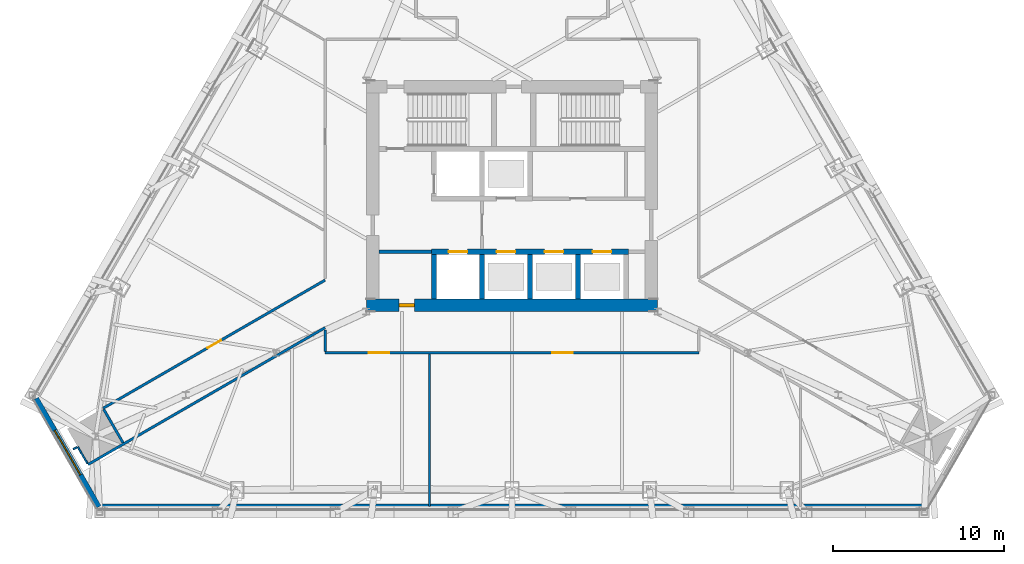
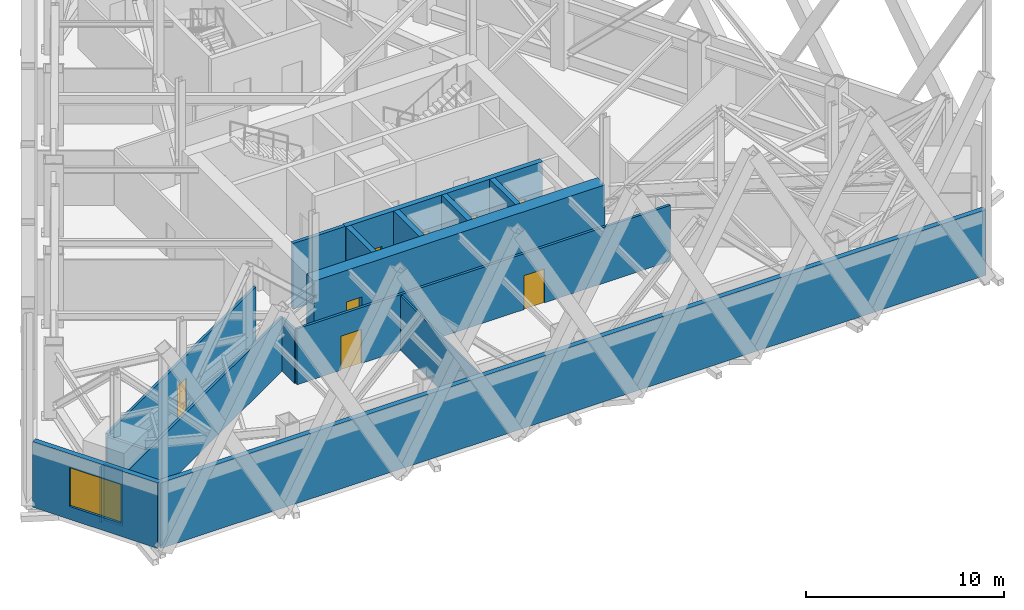
# One storey, part 7 of 16: 17 walls, 8 doors, 1 window, 9 openings.
"""IFC4 building model written with IfcOpenShell, lengths in metres."""

from ifc_helpers import new_model, si_unit, direction, frame, frame_2d, origin, place, context, subcontext, project, spatial, rectangle, extrude, material, layer, layer_set, type_object, element, fill, save


model = new_model("IFC4")

# Units and contexts
model_context = context("Model", 3, precision=1e-05, world=origin(), true_north=direction((0.0, 1.0)))
body_context = subcontext(model_context, "Body", "Model", "MODEL_VIEW")
ifc_project = project(units=[si_unit("LENGTHUNIT", "METRE"), si_unit("AREAUNIT", "SQUARE_METRE"), si_unit("VOLUMEUNIT", "CUBIC_METRE"), si_unit("PLANEANGLEUNIT", "RADIAN"), si_unit("MASSUNIT", "GRAM", prefix="KILO")], contexts=[model_context])

# Site, building, storey
site_placement = place(None, origin())
site = spatial("IfcSite", under=ifc_project, at=site_placement, CompositionType="ELEMENT")
building_placement = place(site_placement, origin())
building = spatial("IfcBuilding", under=site, at=building_placement, Name="Firuza Gate Tower and Library", CompositionType="ELEMENT")
storey_placement = place(building_placement, frame((0.0, 0.0, 247.60009765625)))
storey = spatial("IfcBuildingStorey", under=building, at=storey_placement, Name="L58", CompositionType="ELEMENT", Elevation=247.60009765625)

# Wall
ifc_material_1 = material(Name="Plasterboard on steel studs", Category="steel")
ifc_layer_1 = layer(ifc_material_1, 0.199951171875)
ifc_layer_set_1 = layer_set([ifc_layer_1], Name="Core partition 200 EI 120")
wall_type_1 = type_object("IfcWallType", Name="Core partition 200 EI 120", PredefinedType="PARTITIONING", material=ifc_layer_set_1)
wall_1_placement = place(storey_placement, frame((67.25, 71.75, 0.0), z_axis=(0.0, 0.0, 1.0), x_axis=(1.0, 0.0, 0.0)))
element("IfcWall", 1, at=wall_1_placement, inside=storey, type_object=wall_type_1, Name="Core partition L58 1", PredefinedType="PARTITIONING", context=body_context, shape_type="SweptSolid", body=[
    extrude(rectangle(XDim=3.050048828125, YDim=0.199951171875, at=frame_2d((1.52490234375, 0.0))), origin(), (0.0, 0.0, 1.0), 4.0498046875),
])

# Wall, openings, doors
ifc_material_2 = material(Name="Concrete C60/75", Category="concrete")
ifc_layer_2 = layer(ifc_material_2, 0.300048828125)
ifc_layer_set_2 = layer_set([ifc_layer_2], Name="Core wall 300 C60/75")
wall_type_2 = type_object("IfcWallType", Name="Core wall 300 C60/75", PredefinedType="SHEAR", material=ifc_layer_set_2)
wall_2_placement = place(storey_placement, frame((70.300048828125, 71.75, 0.0), z_axis=(0.0, 0.0, 1.0), x_axis=(1.0, 0.0, 0.0)))
wall_2 = element("IfcWall", 2, at=wall_2_placement, inside=storey, type_object=wall_type_2, Name="Core wall L58 5", PredefinedType="SHEAR", context=body_context, shape_type="SweptSolid", body=[
    extrude(rectangle(XDim=11.5, YDim=0.300048828125, at=frame_2d((5.75, 0.0))), origin(), (0.0, 0.0, 1.0), 4.0498046875),
])
opening_1_placement = place(wall_2_placement, frame((1.0, 0.0, 0.0)))
opening_1 = element("IfcOpeningElement", 3, at=opening_1_placement, cuts=wall_2, Name="Opening LD-FF1-L58", PredefinedType="OPENING", context=body_context, shape_type="SweptSolid", body=[
    extrude(rectangle(XDim=1.10009765625, YDim=2.10009765625, at=frame_2d((0.550048828125, 1.050048828125))), frame((0.0, 0.16015625, 0.0), z_axis=(0.0, -1.0, 0.0), x_axis=(1.0, 0.0, 0.0)), (0.0, 0.0, 1.0), 0.320068359375),
])
opening_2_placement = place(wall_2_placement, frame((3.800048828125, 0.0, 0.0)))
opening_2 = element("IfcOpeningElement", 4, at=opening_2_placement, cuts=wall_2, Name="Opening LD-HR1-L58", PredefinedType="OPENING", context=body_context, shape_type="SweptSolid", body=[
    extrude(rectangle(XDim=1.10009765625, YDim=2.10009765625, at=frame_2d((0.550048828125, 1.050048828125))), frame((0.0, 0.16015625, 0.0), z_axis=(0.0, -1.0, 0.0), x_axis=(1.0, 0.0, 0.0)), (0.0, 0.0, 1.0), 0.320068359375),
])
opening_3_placement = place(wall_2_placement, frame((6.60009765625, 0.0, 0.0)))
opening_3 = element("IfcOpeningElement", 5, at=opening_3_placement, cuts=wall_2, Name="Opening LD-HR2-L58", PredefinedType="OPENING", context=body_context, shape_type="SweptSolid", body=[
    extrude(rectangle(XDim=1.10009765625, YDim=2.10009765625, at=frame_2d((0.550048828125, 1.050048828125))), frame((0.0, 0.16015625, 0.0), z_axis=(0.0, -1.0, 0.0), x_axis=(1.0, 0.0, 0.0)), (0.0, 0.0, 1.0), 0.320068359375),
])
opening_4_placement = place(wall_2_placement, frame((9.39990234375, 0.0, 0.0)))
opening_4 = element("IfcOpeningElement", 6, at=opening_4_placement, cuts=wall_2, Name="Opening LD-HR3-L58", PredefinedType="OPENING", context=body_context, shape_type="SweptSolid", body=[
    extrude(rectangle(XDim=1.10009765625, YDim=2.10009765625, at=frame_2d((0.550048828125, 1.050048828125))), frame((0.0, 0.16015625, 0.0), z_axis=(0.0, -1.0, 0.0), x_axis=(1.0, 0.0, 0.0)), (0.0, 0.0, 1.0), 0.320068359375),
])
ifc_material_3 = material(Name="Stainless steel", Category="steel")
door_type_1 = type_object("IfcDoorType", Name="Lift landing door 1100x2100", OperationType="DOUBLE_DOOR_SLIDING", PredefinedType="DOOR", material=ifc_material_3)
door_1_placement = place(opening_1_placement, origin())
door_1 = element("IfcDoor", 7, at=door_1_placement, inside=storey, type_object=door_type_1, Name="Landing door FF1 L58", OperationType="DOUBLE_DOOR_SLIDING", OverallHeight=2.10009765625, OverallWidth=1.10009765625, PredefinedType="DOOR", context=body_context, shape_type="SweptSolid", body=[
    extrude(rectangle(XDim=1.10009765625, YDim=2.10009765625, at=frame_2d((0.550048828125, 1.050048828125))), frame((0.0, 0.02490234375, 0.0), z_axis=(0.0, -1.0, 0.0), x_axis=(1.0, 0.0, 0.0)), (0.0, 0.0, 1.0), 0.050048828125),
])
fill(opening_1, door_1)
door_2_placement = place(opening_2_placement, origin())
door_2 = element("IfcDoor", 8, at=door_2_placement, inside=storey, type_object=door_type_1, Name="Landing door HR1 L58", OperationType="DOUBLE_DOOR_SLIDING", OverallHeight=2.10009765625, OverallWidth=1.10009765625, PredefinedType="DOOR", context=body_context, shape_type="SweptSolid", body=[
    extrude(rectangle(XDim=1.10009765625, YDim=2.10009765625, at=frame_2d((0.550048828125, 1.050048828125))), frame((0.0, 0.02490234375, 0.0), z_axis=(0.0, -1.0, 0.0), x_axis=(1.0, 0.0, 0.0)), (0.0, 0.0, 1.0), 0.050048828125),
])
fill(opening_2, door_2)
door_3_placement = place(opening_3_placement, origin())
door_3 = element("IfcDoor", 9, at=door_3_placement, inside=storey, type_object=door_type_1, Name="Landing door HR2 L58", OperationType="DOUBLE_DOOR_SLIDING", OverallHeight=2.10009765625, OverallWidth=1.10009765625, PredefinedType="DOOR", context=body_context, shape_type="SweptSolid", body=[
    extrude(rectangle(XDim=1.10009765625, YDim=2.10009765625, at=frame_2d((0.550048828125, 1.050048828125))), frame((0.0, 0.02490234375, 0.0), z_axis=(0.0, -1.0, 0.0), x_axis=(1.0, 0.0, 0.0)), (0.0, 0.0, 1.0), 0.050048828125),
])
fill(opening_3, door_3)
door_4_placement = place(opening_4_placement, origin())
door_4 = element("IfcDoor", 10, at=door_4_placement, inside=storey, type_object=door_type_1, Name="Landing door HR3 L58", OperationType="DOUBLE_DOOR_SLIDING", OverallHeight=2.10009765625, OverallWidth=1.10009765625, PredefinedType="DOOR", context=body_context, shape_type="SweptSolid", body=[
    extrude(rectangle(XDim=1.10009765625, YDim=2.10009765625, at=frame_2d((0.550048828125, 1.050048828125))), frame((0.0, 0.02490234375, 0.0), z_axis=(0.0, -1.0, 0.0), x_axis=(1.0, 0.0, 0.0)), (0.0, 0.0, 1.0), 0.050048828125),
])
fill(opening_4, door_4)

# Walls
for number, where, z_axis, x_axis, name in (
    (11, (70.449951171875, 69.0, 0.0), (0.0, 0.0, 1.0), (0.0, 1.0, 0.0), "Core wall L58 7"),
    (12, (73.25, 69.0, 0.0), (0.0, 0.0, 1.0), (0.0, 1.0, 0.0), "Core wall L58 9"),
    (13, (76.050048828125, 69.0, 0.0), (0.0, 0.0, 1.0), (0.0, 1.0, 0.0), "Core wall L58 11"),
    (14, (78.85009765625, 69.0, 0.0), (0.0, 0.0, 1.0), (0.0, 1.0, 0.0), "Core wall L58 13"),
):
    element("IfcWall", number, at=place(storey_placement, frame(where, z_axis=z_axis, x_axis=x_axis)), inside=storey, type_object=wall_type_2, Name=name, PredefinedType="SHEAR", context=body_context, shape_type="SweptSolid", body=[
        extrude(rectangle(XDim=2.60009765625, YDim=0.300048828125, at=frame_2d((1.300048828125, 0.0))), origin(), (0.0, 0.0, 1.0), 4.0498046875),
    ])

# Wall, opening, door
ifc_material_4 = material(Name="Concrete C60/75", Category="concrete")
ifc_layer_3 = layer(ifc_material_4, 0.75)
ifc_layer_set_3 = layer_set([ifc_layer_3], Name="Core wall 750 C60/75")
wall_type_3 = type_object("IfcWallType", Name="Core wall 750 C60/75", PredefinedType="SHEAR", material=ifc_layer_set_3)
wall_3_placement = place(storey_placement, frame((66.5, 68.625, 0.0), z_axis=(0.0, 0.0, 1.0), x_axis=(1.0, 0.0, 0.0)))
wall_3 = element("IfcWall", 15, at=wall_3_placement, inside=storey, type_object=wall_type_3, Name="Core wall L58 1", PredefinedType="SHEAR", context=body_context, shape_type="SweptSolid", body=[
    extrude(rectangle(XDim=17.0, YDim=0.75, at=frame_2d((8.5, 0.0))), origin(), (0.0, 0.0, 1.0), 4.0498046875),
])
opening_5_placement = place(wall_3_placement, frame((1.89990234375, 0.0, 0.0)))
opening_5 = element("IfcOpeningElement", 16, at=opening_5_placement, cuts=wall_3, Name="Opening L58-K17", PredefinedType="OPENING", context=body_context, shape_type="SweptSolid", body=[
    extrude(rectangle(XDim=0.89990234375, YDim=2.10009765625, at=frame_2d((0.449951171875, 1.050048828125))), frame((0.0, 0.385009765625, 0.0), z_axis=(0.0, -1.0, 0.0), x_axis=(1.0, 0.0, 0.0)), (0.0, 0.0, 1.0), 0.77001953125),
])
ifc_material_5 = material(Name="Steel", Category="steel")
door_type_2 = type_object("IfcDoorType", Name="Fire door 900x2100 FD30S", OperationType="NOTDEFINED", PredefinedType="DOOR", material=ifc_material_5)
door_5_placement = place(opening_5_placement, origin())
door_5 = element("IfcDoor", 17, at=door_5_placement, inside=storey, type_object=door_type_2, Name="Door L58-K17", OperationType="SINGLE_SWING_RIGHT", OverallHeight=2.10009765625, OverallWidth=0.89990234375, PredefinedType="DOOR", context=body_context, shape_type="SweptSolid", body=[
    extrude(rectangle(XDim=0.89990234375, YDim=2.10009765625, at=frame_2d((0.449951171875, 1.050048828125))), frame((0.0, 0.094970703125, 0.0), z_axis=(0.0, -1.0, 0.0), x_axis=(1.0, 0.0, 0.0)), (0.0, 0.0, 1.0), 0.18994140625),
])
fill(opening_5, door_5)

# Wall, openings, doors
ifc_material_6 = material(Name="Gypsum board partition")
ifc_layer_4 = layer(ifc_material_6, 0.14990234375)
ifc_layer_set_4 = layer_set([ifc_layer_4], Name="Corridor wall 150 double board on steel studs")
wall_type_4 = type_object("IfcWallType", Name="Corridor wall 150 double board on steel studs", PredefinedType="PARTITIONING", material=ifc_layer_set_4)
wall_4_placement = place(storey_placement, frame((85.8994140625, 65.85009765625, 0.0), z_axis=(0.0, 0.0, 1.0), x_axis=(-1.0, 0.0, 0.0)))
wall_4 = element("IfcWall", 18, at=wall_4_placement, inside=storey, type_object=wall_type_4, Name="f:L58:w000", PredefinedType="PARTITIONING", context=body_context, shape_type="SweptSolid", body=[
    extrude(rectangle(XDim=21.798828125, YDim=0.14990234375, at=frame_2d((10.8994140625, 0.0))), origin(), (0.0, 0.0, 1.0), 3.449951171875),
])
opening_6_placement = place(wall_4_placement, frame((7.356201171875, 0.0, 0.0)))
opening_6 = element("IfcOpeningElement", 19, at=opening_6_placement, cuts=wall_4, Name="Opening L58-01", PredefinedType="OPENING", context=body_context, shape_type="SweptSolid", body=[
    extrude(rectangle(XDim=1.199951171875, YDim=2.10009765625, at=frame_2d((0.60009765625, 1.050048828125))), frame((0.0, 0.0849609375, 0.0), z_axis=(0.0, -1.0, 0.0), x_axis=(1.0, 0.0, 0.0)), (0.0, 0.0, 1.0), 0.169921875),
])
opening_7_placement = place(wall_4_placement, frame((18.052734375, 0.0, 0.0)))
opening_7 = element("IfcOpeningElement", 20, at=opening_7_placement, cuts=wall_4, Name="Opening L58-02", PredefinedType="OPENING", context=body_context, shape_type="SweptSolid", body=[
    extrude(rectangle(XDim=1.199951171875, YDim=2.10009765625, at=frame_2d((0.60009765625, 1.050048828125))), frame((0.0, 0.0849609375, 0.0), z_axis=(0.0, -1.0, 0.0), x_axis=(1.0, 0.0, 0.0)), (0.0, 0.0, 1.0), 0.169921875),
])
ifc_material_7 = material(Name="Steel door and timber leaf", Category="steel")
door_type_3 = type_object("IfcDoorType", Name="Fire door 1200 x 2100 steel frame, double leaf", OperationType="NOTDEFINED", PredefinedType="DOOR", material=ifc_material_7)
door_6_placement = place(opening_6_placement, origin())
door_6 = element("IfcDoor", 21, at=door_6_placement, inside=storey, type_object=door_type_3, Name="f:L58:d001", OperationType="DOUBLE_DOOR_SINGLE_SWING", OverallHeight=2.10009765625, OverallWidth=1.199951171875, PredefinedType="DOOR", context=body_context, shape_type="SweptSolid", body=[
    extrude(rectangle(XDim=1.199951171875, YDim=2.10009765625, at=frame_2d((0.60009765625, 1.050048828125))), frame((0.0, 0.02490234375, 0.0), z_axis=(0.0, -1.0, 0.0), x_axis=(1.0, 0.0, 0.0)), (0.0, 0.0, 1.0), 0.050048828125),
])
fill(opening_6, door_6)
door_7_placement = place(opening_7_placement, origin())
door_7 = element("IfcDoor", 22, at=door_7_placement, inside=storey, type_object=door_type_3, Name="f:L58:d002", OperationType="DOUBLE_DOOR_SINGLE_SWING", OverallHeight=2.10009765625, OverallWidth=1.199951171875, PredefinedType="DOOR", context=body_context, shape_type="SweptSolid", body=[
    extrude(rectangle(XDim=1.199951171875, YDim=2.10009765625, at=frame_2d((0.60009765625, 1.050048828125))), frame((0.0, 0.02490234375, 0.0), z_axis=(0.0, -1.0, 0.0), x_axis=(1.0, 0.0, 0.0)), (0.0, 0.0, 1.0), 0.050048828125),
])
fill(opening_7, door_7)

# Wall
wall_5_placement = place(storey_placement, frame((50.27001953125, 59.336669921875, 0.0), z_axis=(0.0, 0.0, 1.0), x_axis=(0.866026467601, 0.499998157411, 0.0)))
element("IfcWall", 23, at=wall_5_placement, inside=storey, type_object=wall_type_4, Name="f:L58:w010", PredefinedType="PARTITIONING", context=body_context, shape_type="SweptSolid", body=[
    extrude(rectangle(XDim=15.96923828125, YDim=0.14990234375, at=frame_2d((7.984619140625, 0.0))), origin(), (0.0, 0.0, 1.0), 3.296875),
])

# Wall, opening, door
wall_6_placement = place(storey_placement, frame((51.1484375, 62.614990234375, 0.0), z_axis=(0.0, 0.0, 1.0), x_axis=(0.86602437476, 0.500001782318, 0.0)))
wall_6 = element("IfcWall", 24, at=wall_6_placement, inside=storey, type_object=wall_type_4, Name="f:L58:w012", PredefinedType="PARTITIONING", context=body_context, shape_type="SweptSolid", body=[
    extrude(rectangle(XDim=14.955078125, YDim=0.14990234375, at=frame_2d((7.4775390625, 0.0))), origin(), (0.0, 0.0, 1.0), 3.449951171875),
])
opening_8_placement = place(wall_6_placement, frame((7.027587890625, 0.0, 0.0)))
opening_8 = element("IfcOpeningElement", 25, at=opening_8_placement, cuts=wall_6, Name="Opening L58-07", PredefinedType="OPENING", context=body_context, shape_type="SweptSolid", body=[
    extrude(rectangle(XDim=0.89990234375, YDim=2.10009765625, at=frame_2d((0.449951171875, 1.050048828125))), frame((0.0, 0.0849609375, 0.0), z_axis=(0.0, -1.0, 0.0), x_axis=(1.0, 0.0, 0.0)), (0.0, 0.0, 1.0), 0.169921875),
])
ifc_material_8 = material(Name="Steel door and timber leaf", Category="steel")
door_type_4 = type_object("IfcDoorType", Name="Fire door 900 x 2100 steel frame, timber leaf", OperationType="NOTDEFINED", PredefinedType="DOOR", material=ifc_material_8)
door_8_placement = place(opening_8_placement, origin())
door_8 = element("IfcDoor", 26, at=door_8_placement, inside=storey, type_object=door_type_4, Name="f:L58:d007", OperationType="SINGLE_SWING_RIGHT", OverallHeight=2.10009765625, OverallWidth=0.89990234375, PredefinedType="DOOR", context=body_context, shape_type="SweptSolid", body=[
    extrude(rectangle(XDim=0.89990234375, YDim=2.10009765625, at=frame_2d((0.449951171875, 1.050048828125))), frame((0.0, 0.02490234375, 0.0), z_axis=(0.0, -1.0, 0.0), x_axis=(1.0, 0.0, 0.0)), (0.0, 0.0, 1.0), 0.050048828125),
])
fill(opening_8, door_8)

# Walls
wall_7_placement = place(storey_placement, frame((64.10009765625, 65.925537109375, 0.0), z_axis=(0.0, 0.0, 1.0), x_axis=(0.0, 1.0, 0.0)))
element("IfcWall", 27, at=wall_7_placement, inside=storey, type_object=wall_type_4, Name="f:L58:w027", PredefinedType="PARTITIONING", context=body_context, shape_type="SweptSolid", body=[
    extrude(rectangle(XDim=1.259033203125, YDim=0.14990234375, at=frame_2d((0.62939453125, 0.0))), origin(), (0.0, 0.0, 1.0), 3.296875),
])
wall_8_placement = place(storey_placement, frame((52.310302734375, 60.601806640625, 0.0), z_axis=(0.0, 0.0, 1.0), x_axis=(-0.499957405522, 0.866049994321, 0.0)))
element("IfcWall", 28, at=wall_8_placement, inside=storey, type_object=wall_type_4, Name="f:L58:w029", PredefinedType="PARTITIONING", context=body_context, shape_type="SweptSolid", body=[
    extrude(rectangle(XDim=2.248779296875, YDim=0.14990234375, at=frame_2d((1.12451171875, 0.0))), origin(), (0.0, 0.0, 1.0), 3.296875),
])
ifc_material_9 = material(Name="Gypsum board partition")
ifc_layer_5 = layer(ifc_material_9, 0.10009765625)
ifc_layer_set_5 = layer_set([ifc_layer_5], Name="Partition 100 gypsum board on steel studs")
wall_type_5 = type_object("IfcWallType", Name="Partition 100 gypsum board on steel studs", PredefinedType="PARTITIONING", material=ifc_layer_set_5)
wall_9_placement = place(storey_placement, frame((49.40966796875, 60.2255859375, 0.0), z_axis=(0.0, 0.0, 1.0), x_axis=(0.866006330792, 0.500033033937, 0.0)))
element("IfcWall", 29, at=wall_9_placement, inside=storey, type_object=wall_type_5, Name="f:L58:w011", PredefinedType="PARTITIONING", context=body_context, shape_type="SweptSolid", body=[
    extrude(rectangle(XDim=0.24951171875, YDim=0.10009765625, at=frame_2d((0.124755859375, 0.0))), origin(), (0.0, 0.0, 1.0), 3.449951171875),
])
wall_10_placement = place(storey_placement, frame((70.18994140625, 56.897705078125, 0.0), z_axis=(0.0, 0.0, 1.0), x_axis=(0.0, 1.0, 0.0)))
element("IfcWall", 30, at=wall_10_placement, inside=storey, type_object=wall_type_5, Name="f:L58:w025", PredefinedType="PARTITIONING", context=body_context, shape_type="SweptSolid", body=[
    extrude(rectangle(XDim=8.877197265625, YDim=0.10009765625, at=frame_2d((4.4384765625, 0.0))), origin(), (0.0, 0.0, 1.0), 3.371826171875),
])
wall_11_placement = place(storey_placement, frame((50.23193359375, 59.401611328125, 0.0), z_axis=(0.0, 0.0, 1.0), x_axis=(-0.500017019935, 0.866015577098, 0.0)))
element("IfcWall", 31, at=wall_11_placement, inside=storey, type_object=wall_type_5, Name="f:L58:w030", PredefinedType="PARTITIONING", context=body_context, shape_type="SweptSolid", body=[
    extrude(rectangle(XDim=1.1240234375, YDim=0.10009765625, at=frame_2d((0.56201171875, 0.0))), origin(), (0.0, 0.0, 1.0), 3.449951171875),
])
ifc_material_10 = material(Name="Concrete C40/50", Category="concrete")
ifc_layer_6 = layer(ifc_material_10, 0.300048828125)
ifc_layer_set_6 = layer_set([ifc_layer_6], Name="Plant louvre wall 300")
wall_type_6 = type_object("IfcWallType", Name="Plant louvre wall 300", PredefinedType="SOLIDWALL", material=ifc_layer_set_6)
wall_12_placement = place(storey_placement, frame((50.89794921875, 56.867919921875, 0.0), z_axis=(0.0, 0.0, 1.0), x_axis=(1.0, 0.0, 0.0)))
element("IfcWall", 32, at=wall_12_placement, inside=storey, type_object=wall_type_6, Name="Plant louvre wall 1", PredefinedType="SOLIDWALL", context=body_context, shape_type="SweptSolid", body=[
    extrude(rectangle(XDim=48.2041015625, YDim=0.300048828125, at=frame_2d((24.10205078125, 0.0))), origin(), (0.0, 0.0, 1.0), 4.0498046875),
])

# Wall, opening, window
wall_13_placement = place(storey_placement, frame((47.24609375, 63.193115234375, 0.0), z_axis=(0.0, 0.0, 1.0), x_axis=(0.500000231294, -0.866025270247, 0.0)))
wall_13 = element("IfcWall", 33, at=wall_13_placement, inside=storey, type_object=wall_type_6, Name="Plant louvre wall 6", PredefinedType="SOLIDWALL", context=body_context, shape_type="SweptSolid", body=[
    extrude(rectangle(XDim=7.3037109375, YDim=0.300048828125, at=frame_2d((3.65185546875, 0.0))), origin(), (0.0, 0.0, 1.0), 4.0498046875),
])
opening_9_placement = place(wall_13_placement, frame((2.15185546875, 0.0, 0.800048828125)))
opening_9 = element("IfcOpeningElement", 34, at=opening_9_placement, cuts=wall_13, Name="Opening WD3-003", PredefinedType="OPENING", context=body_context, shape_type="SweptSolid", body=[
    extrude(rectangle(XDim=3.0, YDim=2.39990234375, at=frame_2d((1.5, 1.199951171875))), frame((0.0, 0.16015625, 0.0), z_axis=(0.0, -1.0, 0.0), x_axis=(1.0, 0.0, 0.0)), (0.0, 0.0, 1.0), 0.320068359375),
])
ifc_material_11 = material(Name="Aluminium 6063-T6", Category="aluminium")
window_type = type_object("IfcWindowType", Name="Plant louvre 3000x2400", PartitioningType="SINGLE_PANEL", PredefinedType="WINDOW", material=ifc_material_11)
window_placement = place(opening_9_placement, origin())
window = element("IfcWindow", 35, at=window_placement, inside=storey, type_object=window_type, Name="e:pwall:L58:5/L0", OverallHeight=2.39990234375, OverallWidth=3.0, PartitioningType="SINGLE_PANEL", PredefinedType="WINDOW", context=body_context, shape_type="SweptSolid", body=[
    extrude(rectangle(XDim=3.0, YDim=2.39990234375, at=frame_2d((1.5, 1.199951171875))), frame((0.0, 0.030029296875, 0.0), z_axis=(0.0, -1.0, 0.0), x_axis=(1.0, 0.0, 0.0)), (0.0, 0.0, 1.0), 0.06005859375),
])
fill(opening_9, window)

save(model, "model.ifc")
